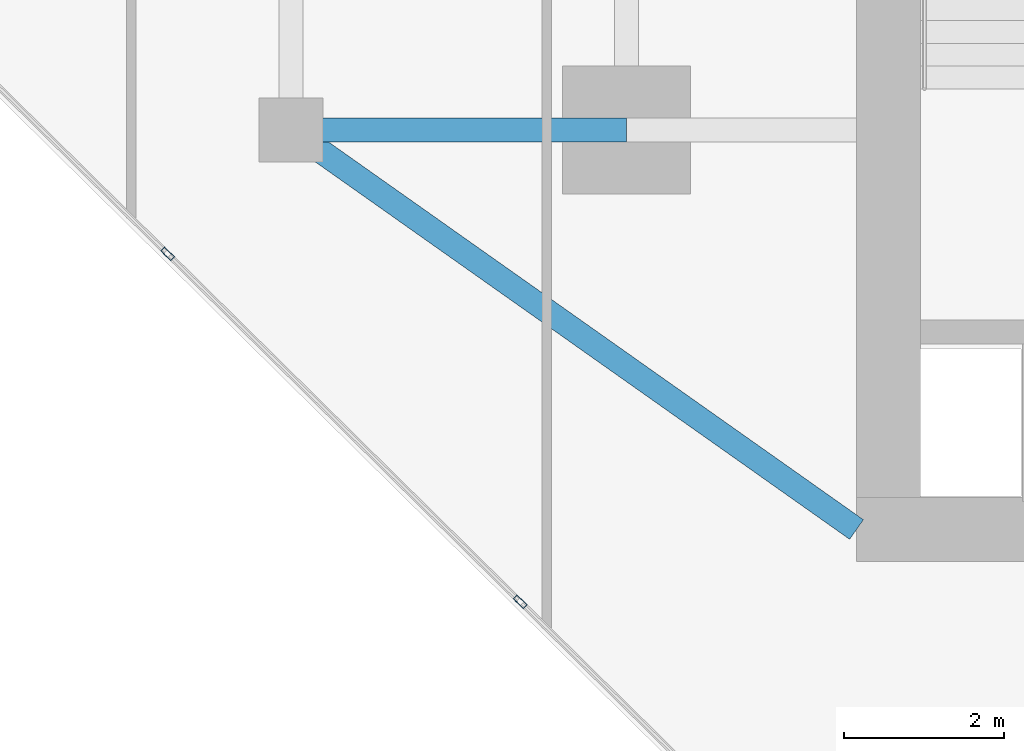
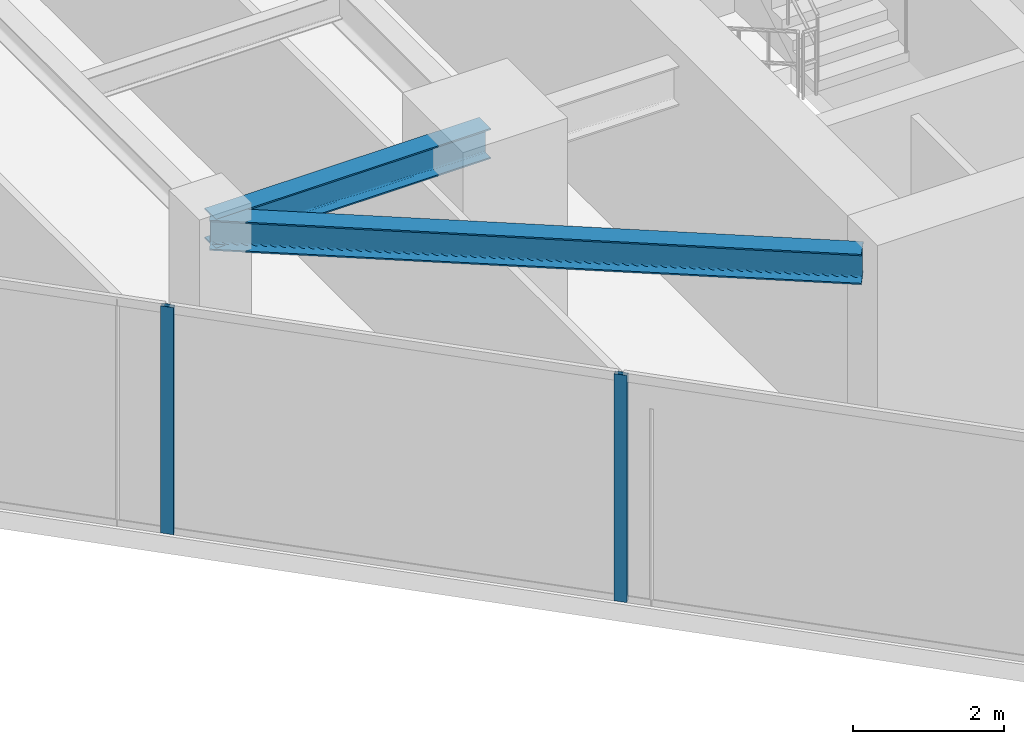
# One storey, part 2 of 24: 2 beams, 2 members, 1 element without a shape of its own.
"""IFC4 building model written with IfcOpenShell, lengths in metres."""

from ifc_helpers import new_model, si_unit, direction, frame, origin, origin_2d, place, context, subcontext, project, spatial, hollow_rectangle, i_section, extrude, source, transform, mapped, material, material_profile, profile_set, type_object, type_shapes, element, aggregate, save


model = new_model("IFC4")

# Units and contexts
model_context = context("Model", 3, precision=1e-05, world=origin(), true_north=direction((0.0, 1.0)))
body_context = subcontext(model_context, "Body", "Model", "MODEL_VIEW")
ifc_project = project(units=[si_unit("LENGTHUNIT", "METRE"), si_unit("AREAUNIT", "SQUARE_METRE"), si_unit("VOLUMEUNIT", "CUBIC_METRE"), si_unit("PLANEANGLEUNIT", "RADIAN"), si_unit("MASSUNIT", "GRAM", prefix="KILO")], contexts=[model_context])

# Site, building, storey
site_placement = place(None, origin())
site = spatial("IfcSite", under=ifc_project, at=site_placement, CompositionType="ELEMENT")
building_placement = place(site_placement, origin())
building = spatial("IfcBuilding", under=site, at=building_placement, Name="Krantzveldt Concourse Tower", CompositionType="ELEMENT")
storey_placement = place(building_placement, frame((0.0, 0.0, 231.0)))
storey = spatial("IfcBuildingStorey", under=building, at=storey_placement, Name="L56", CompositionType="ELEMENT", Elevation=231.0)

# Beams
ifc_material_1 = material(Name="Steel S355JR", Category="steel")
ifc_material_profile_1 = material_profile(ifc_material_1, i_section(OverallWidth=0.300048828125, OverallDepth=0.489990234375, WebThickness=0.011962890625, FlangeThickness=0.02294921875, FilletRadius=0.027099609375, at=origin_2d()), Name="Steel S355JR", Category="steel")
ifc_profile_set_1 = profile_set([ifc_material_profile_1], Name="Steel S355JR - HEA 500")
beam_type = type_object("IfcBeamType", Name="BM-B-HEA500", PredefinedType="BEAM", material=ifc_profile_set_1)
shared_shape_1 = source(origin(), body_context, "Body", "SweptSolid", [
    extrude(i_section(OverallWidth=0.300048828125, OverallDepth=0.489990234375, WebThickness=0.011962890625, FlangeThickness=0.02294921875, FilletRadius=0.027099609375, at=origin_2d()), origin(), (0.0, 0.0, 1.0), 4.199951171875),
])
beam_1_placement = place(storey_placement, frame((21.0, 15.89990234375, 3.425048828125), z_axis=(1.0, 0.0, 0.0), x_axis=(0.0, 1.0, 0.0)))
element("IfcBeam", 1, at=beam_1_placement, inside=storey, type_object=beam_type, Name="L56 Tower Girder BR-RL1", PredefinedType="BEAM", context=body_context, shape_type="MappedRepresentation", body=[
    mapped(shared_shape_1, transform((0.0, 0.0, 0.0), x_axis=(1.0, 0.0, 0.0), y_axis=(0.0, 1.0, 0.0), z_axis=(0.0, 0.0, 1.0), scale=1.0)),
])
shared_shape_2 = source(origin(), body_context, "Body", "SweptSolid", [
    extrude(i_section(OverallWidth=0.300048828125, OverallDepth=0.489990234375, WebThickness=0.011962890625, FlangeThickness=0.02294921875, FilletRadius=0.027099609375, at=origin_2d()), origin(), (0.0, 0.0, 1.0), 8.667724609375),
])
type_shapes(beam_type, [shared_shape_1, shared_shape_2])
beam_2_placement = place(storey_placement, frame((21.0, 15.89990234375, 3.425048828125), z_axis=(0.81684294656, -0.576860122261, 0.0), x_axis=(0.576860122261, 0.81684294656, 0.0)))
element("IfcBeam", 2, at=beam_2_placement, inside=storey, type_object=beam_type, Name="L56 Tower Girder BR-CSW", PredefinedType="BEAM", context=body_context, shape_type="MappedRepresentation", body=[
    mapped(shared_shape_2, transform((0.0, 0.0, 0.0), x_axis=(1.0, 0.0, 0.0), y_axis=(0.0, 1.0, 0.0), z_axis=(0.0, 0.0, 1.0), scale=1.0)),
])

# Curtain wall, members
ifc_material_2 = material(Name="Anodised aluminium 6063-T6", Category="aluminium")
curtain_wall_type = type_object("IfcCurtainWallType", Name="CW3", PredefinedType="USERDEFINED", material=ifc_material_2)
curtain_wall_placement = place(storey_placement, origin())
curtain_wall = element("IfcCurtainWall", 3, at=curtain_wall_placement, inside=storey, type_object=curtain_wall_type, Name="CW-L56-F04", ObjectType="UNITISED CURTAIN WALL", PredefinedType="USERDEFINED")
ifc_material_profile_2 = material_profile(ifc_material_2, hollow_rectangle(XDim=0.070068359375, YDim=0.179931640625, WallThickness=0.0048828125, at=origin_2d()), Name="Anodised aluminium 6063-T6", Category="aluminium")
ifc_profile_set_2 = profile_set([ifc_material_profile_2], Name="Anodised aluminium 6063-T6 - ALU-MULL 180x70x5")
member_type = type_object("IfcMemberType", Name="CW-MUL-180", PredefinedType="MULLION", material=ifc_profile_set_2)
shared_shape_3 = source(origin(), body_context, "Body", "SweptSolid", [
    extrude(hollow_rectangle(XDim=0.070068359375, YDim=0.179931640625, WallThickness=0.0048828125, at=origin_2d()), origin(), (0.0, 0.0, 1.0), 3.669921875),
])
type_shapes(member_type, [shared_shape_3])
member_1_placement = place(storey_placement, frame((19.456298828125, 14.351318359375, 0.0), z_axis=(0.0, 0.0, 1.0), x_axis=(0.702463570854, 0.711719700179, 0.0)))
member_1 = element("IfcMember", 4, at=member_1_placement, type_object=member_type, Name="CW-Z34 mullion 3", PredefinedType="MULLION", context=body_context, shape_type="MappedRepresentation", body=[
    mapped(shared_shape_3, transform((0.0, 0.0, 0.0), x_axis=(1.0, 0.0, 0.0), y_axis=(0.0, 1.0, 0.0), z_axis=(0.0, 0.0, 1.0), scale=1.0)),
])
member_2_placement = place(storey_placement, frame((23.869140625, 9.99609375, 0.0), z_axis=(0.0, 0.0, 1.0), x_axis=(0.702463570854, 0.711719700179, 0.0)))
member_2 = element("IfcMember", 5, at=member_2_placement, type_object=member_type, Name="CW-Z34 mullion 4", PredefinedType="MULLION", context=body_context, shape_type="MappedRepresentation", body=[
    mapped(shared_shape_3, transform((0.0, 0.0, 0.0), x_axis=(1.0, 0.0, 0.0), y_axis=(0.0, 1.0, 0.0), z_axis=(0.0, 0.0, 1.0), scale=1.0)),
])
aggregate(curtain_wall, [member_1, member_2])

save(model, "model.ifc")
